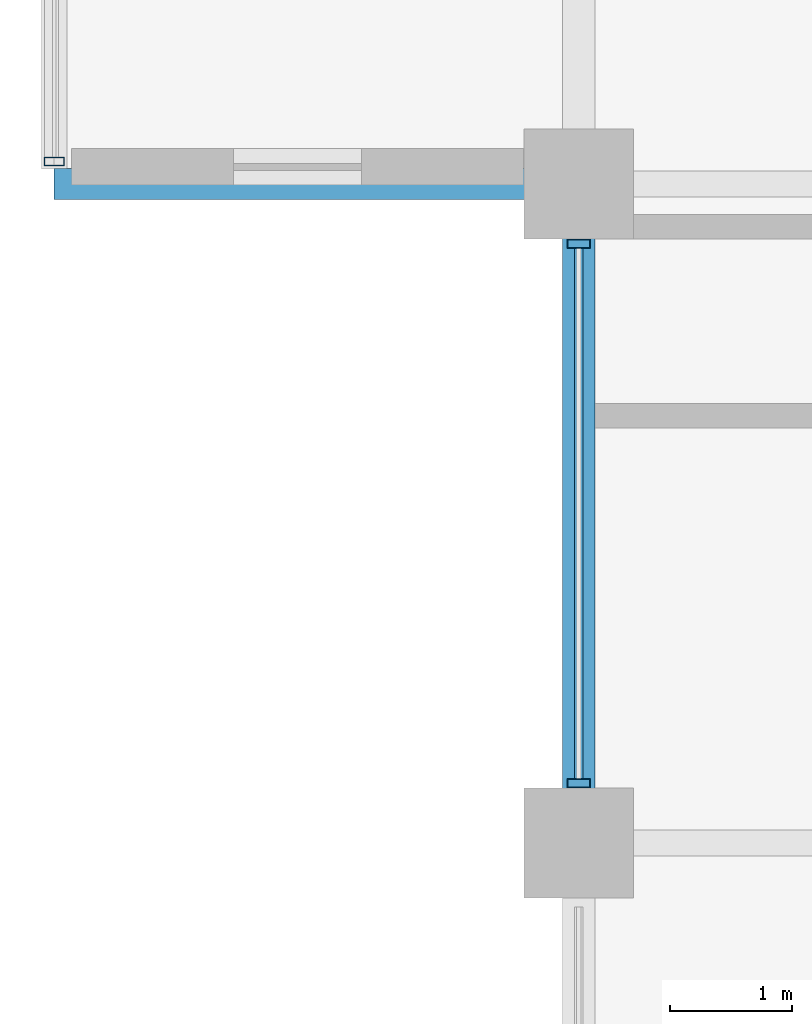
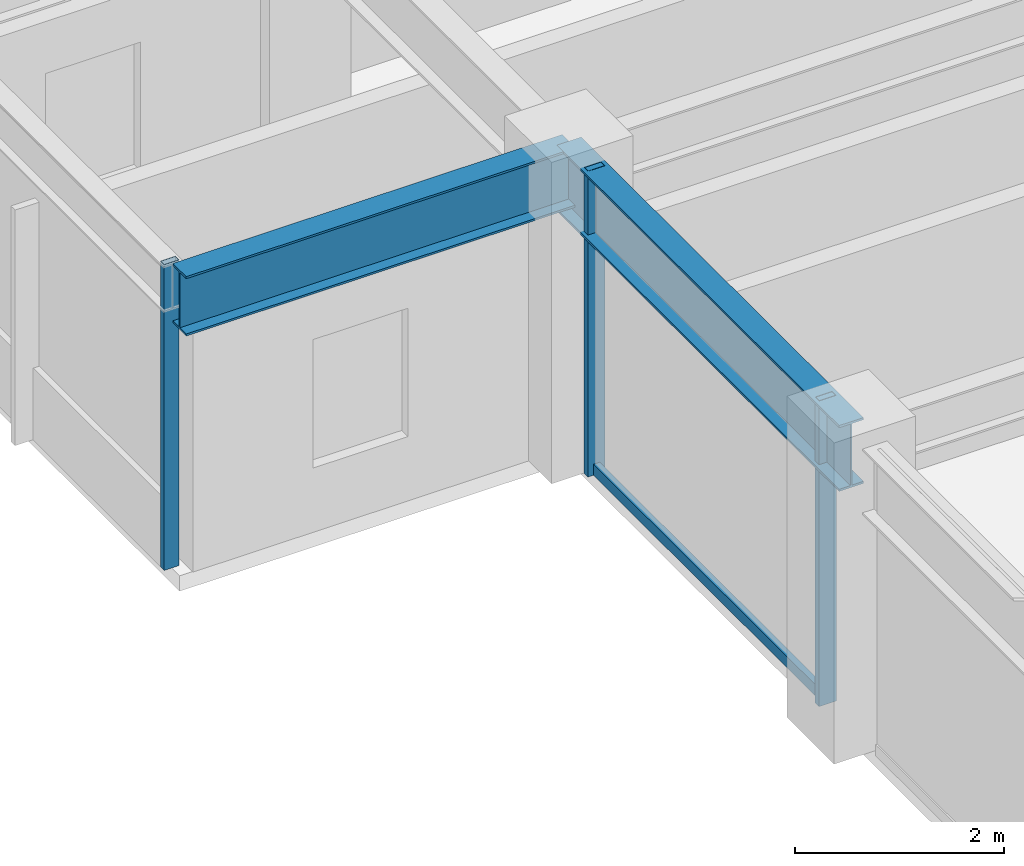
# One storey, part 5 of 28: 4 members, 2 beams, 2 elements without a shape of their own.
"""IFC4 building model written with IfcOpenShell, lengths in metres."""

from ifc_helpers import new_model, si_unit, direction, frame, origin, origin_2d, place, context, subcontext, project, spatial, hollow_rectangle, i_section, extrude, material, layer, layer_set, material_profile, profile_set, type_object, element, aggregate, save


model = new_model("IFC4")

# Units and contexts
model_context = context("Model", 3, precision=1e-05, world=origin(), true_north=direction((0.0, 1.0)))
body_context = subcontext(model_context, "Body", "Model", "MODEL_VIEW")
ifc_project = project(units=[si_unit("LENGTHUNIT", "METRE"), si_unit("AREAUNIT", "SQUARE_METRE"), si_unit("VOLUMEUNIT", "CUBIC_METRE"), si_unit("PLANEANGLEUNIT", "RADIAN"), si_unit("MASSUNIT", "GRAM", prefix="KILO")], contexts=[model_context])

# Site, building, storey
site_placement = place(None, origin())
site = spatial("IfcSite", under=ifc_project, at=site_placement, CompositionType="ELEMENT")
building_placement = place(site_placement, origin())
building = spatial("IfcBuilding", under=site, at=building_placement, Name="Surkhivell Harbour Commons", CompositionType="ELEMENT")
storey_placement = place(building_placement, frame((0.0, 0.0, 174.75)))
storey = spatial("IfcBuildingStorey", under=building, at=storey_placement, Name="L45", CompositionType="ELEMENT", Elevation=174.75)

# Beams
ifc_material_1 = material(Name="Steel S460", Category="steel")
ifc_material_profile_1 = material_profile(ifc_material_1, i_section(OverallWidth=0.256103515625, OverallDepth=0.693115234375, WebThickness=0.014404296875, FlangeThickness=0.023681640625, at=origin_2d()), Name="UB686x254x170")
ifc_profile_set_1 = profile_set([ifc_material_profile_1], Name="Steel S460")
beam_type_1 = type_object("IfcBeamType", Name="BM-CNT-686", PredefinedType="BEAM", material=ifc_profile_set_1)
beam_1_placement = place(storey_placement, frame((-27.0, 0.0, 3.223388671875), z_axis=(-1.0, 0.0, 0.0), x_axis=(0.0, -1.0, 0.0)))
element("IfcBeam", 1, at=beam_1_placement, inside=storey, type_object=beam_type_1, Name="L45 Box Cantilever Outrigger (-27.0,0.0)", PredefinedType="BEAM", context=body_context, shape_type="SweptSolid", body=[
    extrude(i_section(OverallWidth=0.256103515625, OverallDepth=0.693115234375, WebThickness=0.014404296875, FlangeThickness=0.023681640625, at=origin_2d()), origin(), (0.0, 0.0, 1.0), 4.300048828125),
])
ifc_material_2 = material(Name="Steel S355", Category="steel")
ifc_material_profile_2 = material_profile(ifc_material_2, i_section(OverallWidth=0.26806640625, OverallDepth=0.77001953125, WebThickness=0.015625, FlangeThickness=0.025390625, at=origin_2d()), Name="UB762x267x197")
ifc_profile_set_2 = profile_set([ifc_material_profile_2], Name="Steel S355")
beam_type_2 = type_object("IfcBeamType", Name="BM-SPN-762", PredefinedType="SPANDREL", material=ifc_profile_set_2)
beam_2_placement = place(storey_placement, frame((-27.0, -5.39990234375, 3.18505859375), z_axis=(0.0, 1.0, 0.0), x_axis=(-1.0, 0.0, 0.0)))
element("IfcBeam", 2, at=beam_2_placement, inside=storey, type_object=beam_type_2, Name="L45 Tube Spandrel (-27.0,-5.4)", PredefinedType="SPANDREL", context=body_context, shape_type="SweptSolid", body=[
    extrude(i_section(OverallWidth=0.26806640625, OverallDepth=0.77001953125, WebThickness=0.015625, FlangeThickness=0.025390625, at=origin_2d()), origin(), (0.0, 0.0, 1.0), 5.39990234375),
])

# Curtain wall, member
ifc_material_3 = material(Name="Anodised pale-metal aluminium and insulated glazing", Category="aluminium")
ifc_layer_1 = layer(ifc_material_3, 0.1650390625)
ifc_layer_set_1 = layer_set([ifc_layer_1], Name="Anodised pale-metal aluminium and insulated glazing")
curtain_wall_type_1 = type_object("IfcCurtainWallType", Name="CW-SYS-BOX", PredefinedType="NOTDEFINED", material=ifc_layer_set_1)
curtain_wall_1_placement = place(storey_placement, origin())
curtain_wall_1 = element("IfcCurtainWall", 3, at=curtain_wall_1_placement, inside=storey, type_object=curtain_wall_type_1, Name="L45 Curtain Wall CW-L45-BOX02", PredefinedType="NOTDEFINED")
ifc_material_4 = material(Name="Champagne anodised aluminium alloy 6063-T6", Category="aluminium")
ifc_material_profile_3 = material_profile(ifc_material_4, hollow_rectangle(XDim=0.070068359375, YDim=0.1650390625, WallThickness=0.00341796875, at=origin_2d()), Name="ALU-MULL-70x165")
ifc_profile_set_3 = profile_set([ifc_material_profile_3], Name="Champagne anodised aluminium alloy 6063-T6")
member_type_1 = type_object("IfcMemberType", Name="CWM-165", PredefinedType="MULLION", material=ifc_profile_set_3)
member_1_placement = place(storey_placement, frame((-31.300048828125, 0.18505859375, 0.0), z_axis=(0.0, 0.0, 1.0), x_axis=(0.0, 1.0, 0.0)))
member_1 = element("IfcMember", 4, at=member_1_placement, type_object=member_type_1, Name="CW-BOX mullion 1", PredefinedType="MULLION", context=body_context, shape_type="SweptSolid", body=[
    extrude(hollow_rectangle(XDim=0.070068359375, YDim=0.1650390625, WallThickness=0.00341796875, at=origin_2d()), origin(), (0.0, 0.0, 1.0), 3.570068359375),
])
aggregate(curtain_wall_1, [member_1])

# Curtain wall, members
ifc_layer_2 = layer(ifc_material_3, 0.18994140625)
ifc_layer_set_2 = layer_set([ifc_layer_2], Name="Anodised pale-metal aluminium and insulated glazing")
curtain_wall_type_2 = type_object("IfcCurtainWallType", Name="CW-SYS-Z3", PredefinedType="NOTDEFINED", material=ifc_layer_set_2)
curtain_wall_2_placement = place(storey_placement, origin())
curtain_wall_2 = element("IfcCurtainWall", 5, at=curtain_wall_2_placement, inside=storey, type_object=curtain_wall_type_2, Name="L45 Curtain Wall CW-L45-E12R1S1", PredefinedType="NOTDEFINED")
ifc_material_5 = material(Name="Anodised pale-metal aluminium alloy 6063-T6", Category="aluminium")
ifc_material_profile_4 = material_profile(ifc_material_5, hollow_rectangle(XDim=0.074951171875, YDim=0.18994140625, WallThickness=0.00390625, at=origin_2d()), Name="ALU-MULL-75x190")
ifc_profile_set_4 = profile_set([ifc_material_profile_4], Name="Anodised pale-metal aluminium alloy 6063-T6")
member_type_2 = type_object("IfcMemberType", Name="CWM-190", PredefinedType="MULLION", material=ifc_profile_set_4)
member_2_placement = place(storey_placement, frame((-27.0, -4.910400390625, 0.0), z_axis=(0.0, 0.0, 1.0), x_axis=(0.0, 1.0, 0.0)))
member_2 = element("IfcMember", 6, at=member_2_placement, type_object=member_type_2, Name="CW-Z3 mullion 2", PredefinedType="MULLION", context=body_context, shape_type="SweptSolid", body=[
    extrude(hollow_rectangle(XDim=0.074951171875, YDim=0.18994140625, WallThickness=0.00390625, at=origin_2d()), origin(), (0.0, 0.0, 1.0), 3.570068359375),
])
member_3_placement = place(storey_placement, frame((-27.0, -0.489501953125, 0.0), z_axis=(0.0, 0.0, 1.0), x_axis=(0.0, 1.0, 0.0)))
member_3 = element("IfcMember", 7, at=member_3_placement, type_object=member_type_2, Name="CW-Z3 mullion 3", PredefinedType="MULLION", context=body_context, shape_type="SweptSolid", body=[
    extrude(hollow_rectangle(XDim=0.074951171875, YDim=0.18994140625, WallThickness=0.00390625, at=origin_2d()), origin(), (0.0, 0.0, 1.0), 3.570068359375),
])
ifc_material_profile_5 = material_profile(ifc_material_4, hollow_rectangle(XDim=0.070068359375, YDim=0.1298828125, WallThickness=0.00341796875, at=origin_2d()), Name="ALU-TRAN-70x130")
ifc_profile_set_5 = profile_set([ifc_material_profile_5], Name="Champagne anodised aluminium alloy 6063-T6")
member_type_3 = type_object("IfcMemberType", Name="CWT-130", PredefinedType="USERDEFINED", material=ifc_profile_set_5)
member_4_placement = place(storey_placement, frame((-27.0, -4.873046875, 0.06494140625), z_axis=(0.0, 1.0, 0.0), x_axis=(-1.0, 0.0, 0.0)))
member_4 = element("IfcMember", 8, at=member_4_placement, type_object=member_type_3, Name="CW-Z3 transom 2.1", ObjectType="TRANSOM", PredefinedType="USERDEFINED", context=body_context, shape_type="SweptSolid", body=[
    extrude(hollow_rectangle(XDim=0.070068359375, YDim=0.1298828125, WallThickness=0.00341796875, at=origin_2d()), origin(), (0.0, 0.0, 1.0), 4.345947265625),
])
aggregate(curtain_wall_2, [member_2, member_3, member_4])

save(model, "model.ifc")
